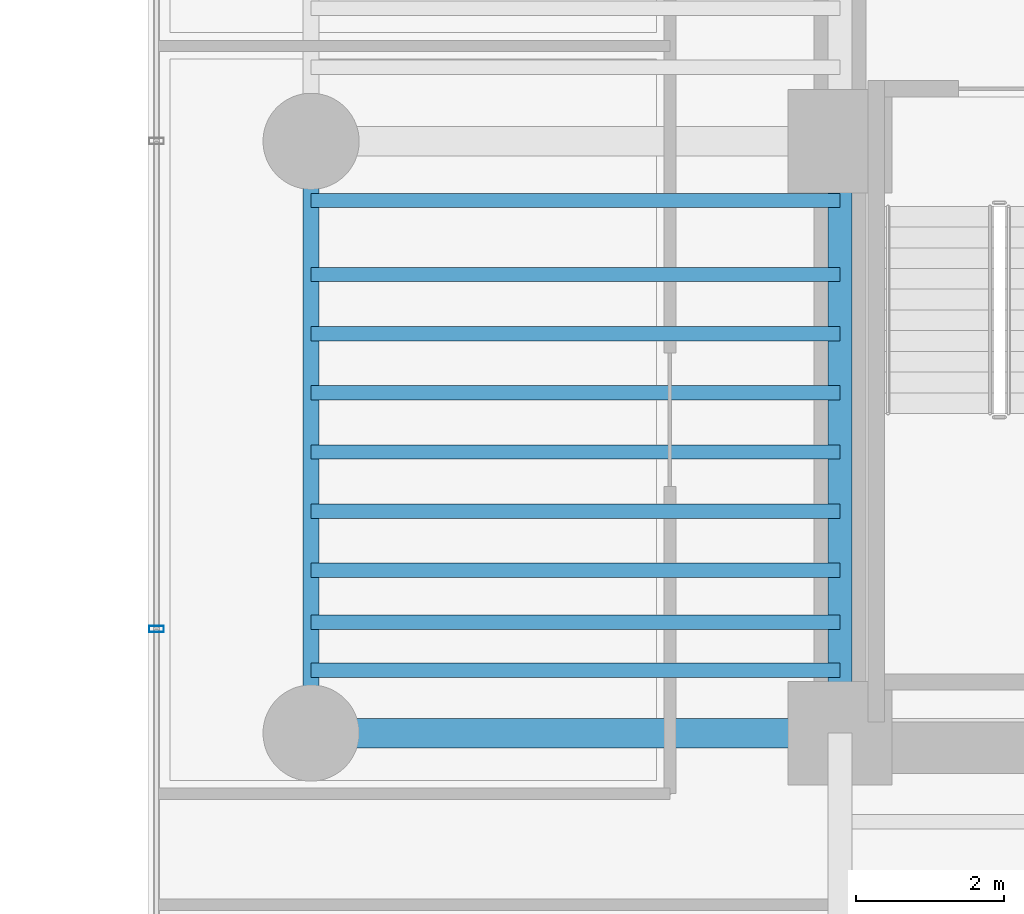
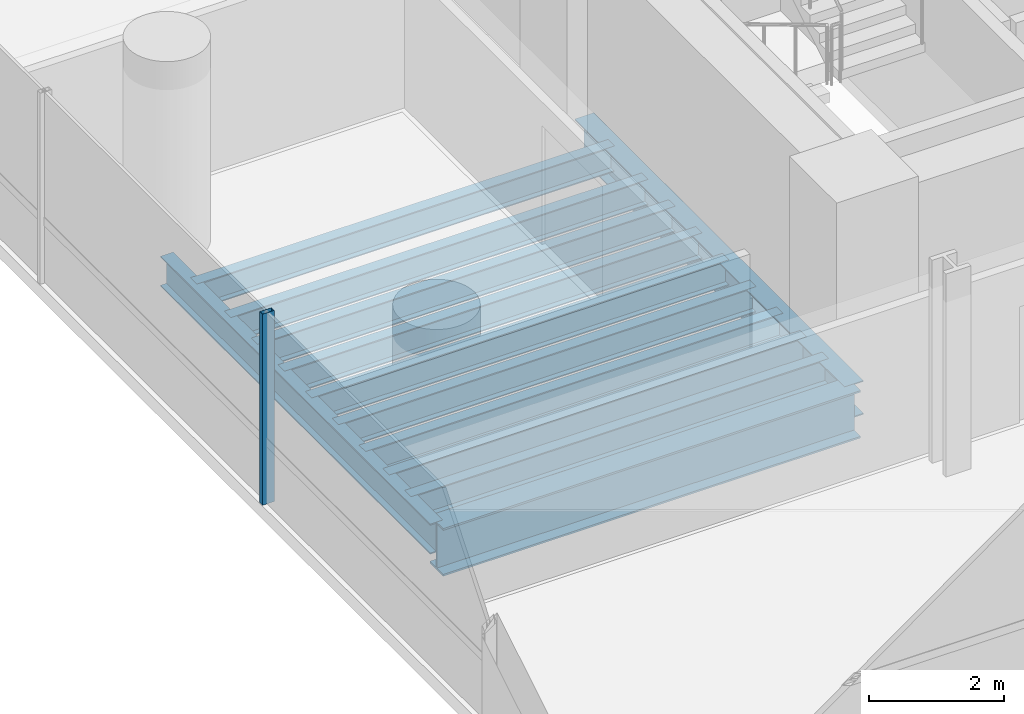
# One storey, part 4 of 40: 12 beams, 1 member, 1 element without a shape of its own.
"""IFC4 building model written with IfcOpenShell, lengths in metres."""

from ifc_helpers import new_model, si_unit, direction, frame, origin, origin_2d, place, context, subcontext, project, spatial, hollow_rectangle, i_section, extrude, source, transform, mapped, material, material_profile, profile_set, type_object, element, aggregate, save


model = new_model("IFC4")

# Units and contexts
model_context = context("Model", 3, precision=1e-05, world=origin(), true_north=direction((0.0, 1.0)))
body_context = subcontext(model_context, "Body", "Model", "MODEL_VIEW")
ifc_project = project(units=[si_unit("LENGTHUNIT", "METRE"), si_unit("AREAUNIT", "SQUARE_METRE"), si_unit("VOLUMEUNIT", "CUBIC_METRE"), si_unit("PLANEANGLEUNIT", "RADIAN"), si_unit("MASSUNIT", "GRAM", prefix="KILO")], contexts=[model_context])

# Site, building, storey
site_placement = place(None, origin())
site = spatial("IfcSite", under=ifc_project, at=site_placement, CompositionType="ELEMENT")
building_placement = place(site_placement, origin())
building = spatial("IfcBuilding", under=site, at=building_placement, Name="Valdorenza Pilgrim Sanctuary Tower", CompositionType="ELEMENT")
storey_placement = place(building_placement, frame((0.0, 0.0, 51.89990234375)))
storey = spatial("IfcBuildingStorey", under=building, at=storey_placement, Name="L12", CompositionType="ELEMENT", Elevation=51.89990234375)

# Beams
ifc_material_1 = material(Name="Steel ASTM A992 Grade 50", Category="steel")
ifc_material_profile_1 = material_profile(ifc_material_1, i_section(OverallWidth=0.214111328125, OverallDepth=0.549072265625, WebThickness=0.0146484375, FlangeThickness=0.023681640625, at=origin_2d()), Name="W21X93")
ifc_profile_set_1 = profile_set([ifc_material_profile_1], Name="Steel ASTM A992 Grade 50")
beam_type_1 = type_object("IfcBeamType", Name="STR-BM-SPN-W21A", PredefinedType="SPANDREL", material=ifc_profile_set_1)
shared_shape_1 = source(origin(), body_context, "Body", "SweptSolid", [
    extrude(i_section(OverallWidth=0.214111328125, OverallDepth=0.549072265625, WebThickness=0.0146484375, FlangeThickness=0.023681640625, at=origin_2d()), origin(), (0.0, 0.0, 1.0), 8.0),
])
beam_1_placement = place(storey_placement, frame((-29.800048828125, -10.60009765625, -0.514404296875), z_axis=(0.0, 1.0, 0.0), x_axis=(-1.0, 0.0, 0.0)))
element("IfcBeam", 1, at=beam_1_placement, inside=storey, type_object=beam_type_1, Name="L12 Spandrel Beam WA-W-S1M0", PredefinedType="SPANDREL", context=body_context, shape_type="MappedRepresentation", body=[
    mapped(shared_shape_1, transform((0.0, 0.0, 0.0), x_axis=(1.0, 0.0, 0.0), y_axis=(0.0, 1.0, 0.0), z_axis=(0.0, 0.0, 1.0), scale=1.0)),
])
ifc_material_profile_2 = material_profile(ifc_material_1, i_section(OverallWidth=0.323974609375, OverallDepth=0.611083984375, WebThickness=0.0126953125, FlangeThickness=0.01904296875, at=origin_2d()), Name="W24X104")
ifc_profile_set_2 = profile_set([ifc_material_profile_2], Name="Steel ASTM A992 Grade 50")
beam_type_2 = type_object("IfcBeamType", Name="STR-BM-GRD-W24B", PredefinedType="BEAM", material=ifc_profile_set_2)
shared_shape_2 = source(origin(), body_context, "Body", "SweptSolid", [
    extrude(i_section(OverallWidth=0.323974609375, OverallDepth=0.611083984375, WebThickness=0.0126953125, FlangeThickness=0.01904296875, at=origin_2d()), origin(), (0.0, 0.0, 1.0), 8.0),
])
beam_2_placement = place(storey_placement, frame((-22.64990234375, -10.60009765625, -0.54541015625), z_axis=(0.0, 1.0, 0.0), x_axis=(-1.0, 0.0, 0.0)))
element("IfcBeam", 2, at=beam_2_placement, inside=storey, type_object=beam_type_2, Name="L12 Core Tie Girder CA-W-S1M0", PredefinedType="BEAM", context=body_context, shape_type="MappedRepresentation", body=[
    mapped(shared_shape_2, transform((0.0, 0.0, 0.0), x_axis=(1.0, 0.0, 0.0), y_axis=(0.0, 1.0, 0.0), z_axis=(0.0, 0.0, 1.0), scale=1.0)),
])
ifc_material_profile_3 = material_profile(ifc_material_1, i_section(OverallWidth=0.193115234375, OverallDepth=0.466064453125, WebThickness=0.011474609375, FlangeThickness=0.01904296875, at=origin_2d()), Name="W18X65")
ifc_profile_set_3 = profile_set([ifc_material_profile_3], Name="Steel ASTM A992 Grade 50")
beam_type_3 = type_object("IfcBeamType", Name="STR-BM-JST-W18A", PredefinedType="JOIST", material=ifc_profile_set_3)
shared_shape_3 = source(origin(), body_context, "Body", "SweptSolid", [
    extrude(i_section(OverallWidth=0.193115234375, OverallDepth=0.466064453125, WebThickness=0.011474609375, FlangeThickness=0.01904296875, at=origin_2d()), origin(), (0.0, 0.0, 1.0), 7.150146484375),
])
for number, where, z_axis, x_axis, name in (
    (3, (-29.800048828125, -9.75, -0.472900390625), (1.0, 0.0, 0.0), (0.0, 1.0, 0.0), "L12 Composite Floor Joist JST-WA-1"),
    (4, (-29.800048828125, -9.10009765625, -0.472900390625), (1.0, 0.0, 0.0), (0.0, 1.0, 0.0), "L12 Composite Floor Joist JST-WA-2"),
    (5, (-29.800048828125, -8.39990234375, -0.472900390625), (1.0, 0.0, 0.0), (0.0, 1.0, 0.0), "L12 Composite Floor Joist JST-WA-3"),
    (6, (-29.800048828125, -7.60009765625, -0.472900390625), (1.0, 0.0, 0.0), (0.0, 1.0, 0.0), "L12 Composite Floor Joist JST-WA-4"),
    (7, (-29.800048828125, -6.800048828125, -0.472900390625), (1.0, 0.0, 0.0), (0.0, 1.0, 0.0), "L12 Composite Floor Joist JST-WA-5"),
    (8, (-29.800048828125, -6.0, -0.472900390625), (1.0, 0.0, 0.0), (0.0, 1.0, 0.0), "L12 Composite Floor Joist JST-WA-6"),
    (9, (-29.800048828125, -5.199951171875, -0.472900390625), (1.0, 0.0, 0.0), (0.0, 1.0, 0.0), "L12 Composite Floor Joist JST-WA-7"),
    (10, (-29.800048828125, -4.39990234375, -0.472900390625), (1.0, 0.0, 0.0), (0.0, 1.0, 0.0), "L12 Composite Floor Joist JST-WA-8"),
    (11, (-29.800048828125, -3.39990234375, -0.472900390625), (1.0, 0.0, 0.0), (0.0, 1.0, 0.0), "L12 Composite Floor Joist JST-WA-9"),
):
    element("IfcBeam", number, at=place(storey_placement, frame(where, z_axis=z_axis, x_axis=x_axis)), inside=storey, type_object=beam_type_3, Name=name, PredefinedType="JOIST", context=body_context, shape_type="MappedRepresentation", body=[
        mapped(shared_shape_3, transform((0.0, 0.0, 0.0), x_axis=(1.0, 0.0, 0.0), y_axis=(0.0, 1.0, 0.0), z_axis=(0.0, 0.0, 1.0), scale=1.0)),
    ])
ifc_material_profile_4 = material_profile(ifc_material_1, i_section(OverallWidth=0.39990234375, OverallDepth=0.862060546875, WebThickness=0.019775390625, FlangeThickness=0.032470703125, at=origin_2d()), Name="W33X221")
ifc_profile_set_4 = profile_set([ifc_material_profile_4], Name="Steel ASTM A992 Grade 50")
beam_type_4 = type_object("IfcBeamType", Name="STR-BM-GRD-W33", PredefinedType="BEAM", material=ifc_profile_set_4)
shared_shape_4 = source(origin(), body_context, "Body", "SweptSolid", [
    extrude(i_section(OverallWidth=0.39990234375, OverallDepth=0.862060546875, WebThickness=0.019775390625, FlangeThickness=0.032470703125, at=origin_2d()), origin(), (0.0, 0.0, 1.0), 7.150146484375),
])
beam_3_placement = place(storey_placement, frame((-29.800048828125, -10.60009765625, -0.6708984375), z_axis=(1.0, 0.0, 0.0), x_axis=(0.0, 1.0, 0.0)))
element("IfcBeam", 12, at=beam_3_placement, inside=storey, type_object=beam_type_4, Name="L12 Floor Girder WA-XW-S1", PredefinedType="BEAM", context=body_context, shape_type="MappedRepresentation", body=[
    mapped(shared_shape_4, transform((0.0, 0.0, 0.0), x_axis=(1.0, 0.0, 0.0), y_axis=(0.0, 1.0, 0.0), z_axis=(0.0, 0.0, 1.0), scale=1.0)),
])

# Curtain wall, member
ifc_material_2 = material(Name="Curtain-wall IGU glazing", Category="glass")
curtain_wall_type = type_object("IfcCurtainWallType", Name="CW-SYS-02", PredefinedType="NOTDEFINED", material=ifc_material_2)
curtain_wall_placement = place(storey_placement, origin())
curtain_wall = element("IfcCurtainWall", 13, at=curtain_wall_placement, inside=storey, type_object=curtain_wall_type, Name="L12 Curtain Wall CW-L12-1-1S1", PredefinedType="NOTDEFINED")
ifc_material_3 = material(Name="Anodised aluminium AW-6060", Category="aluminium")
ifc_material_profile_5 = material_profile(ifc_material_3, hollow_rectangle(XDim=0.0849609375, YDim=0.199951171875, WallThickness=0.0048828125, at=origin_2d()), Name="ALU-M 200x85x5")
ifc_profile_set_5 = profile_set([ifc_material_profile_5], Name="Anodised aluminium AW-6060")
member_type = type_object("IfcMemberType", Name="CW-MUL-02", PredefinedType="MULLION", material=ifc_profile_set_5)
shared_shape_5 = source(origin(), body_context, "Body", "SweptSolid", [
    extrude(hollow_rectangle(XDim=0.0849609375, YDim=0.199951171875, WallThickness=0.0048828125, at=origin_2d()), origin(), (0.0, 0.0, 1.0), 3.460205078125),
])
member_placement = place(storey_placement, frame((-31.889892578125, -9.19189453125, 0.0), z_axis=(0.0, 0.0, 1.0), x_axis=(0.0, 1.0, 0.0)))
member = element("IfcMember", 14, at=member_placement, type_object=member_type, Name="CW-L12-1-1S1 Mullion 2", PredefinedType="MULLION", context=body_context, shape_type="MappedRepresentation", body=[
    mapped(shared_shape_5, transform((0.0, 0.0, 0.0), x_axis=(1.0, 0.0, 0.0), y_axis=(0.0, 1.0, 0.0), z_axis=(0.0, 0.0, 1.0), scale=1.0)),
])
aggregate(curtain_wall, [member])

save(model, "model.ifc")
